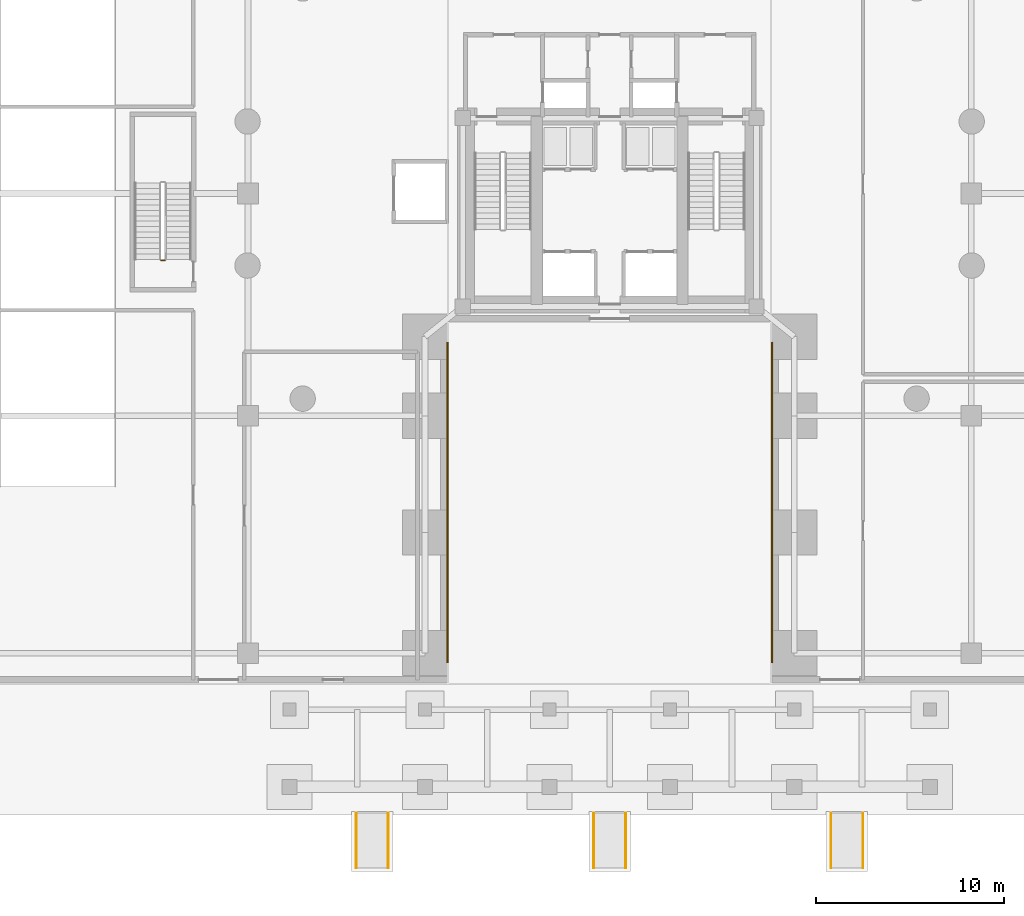
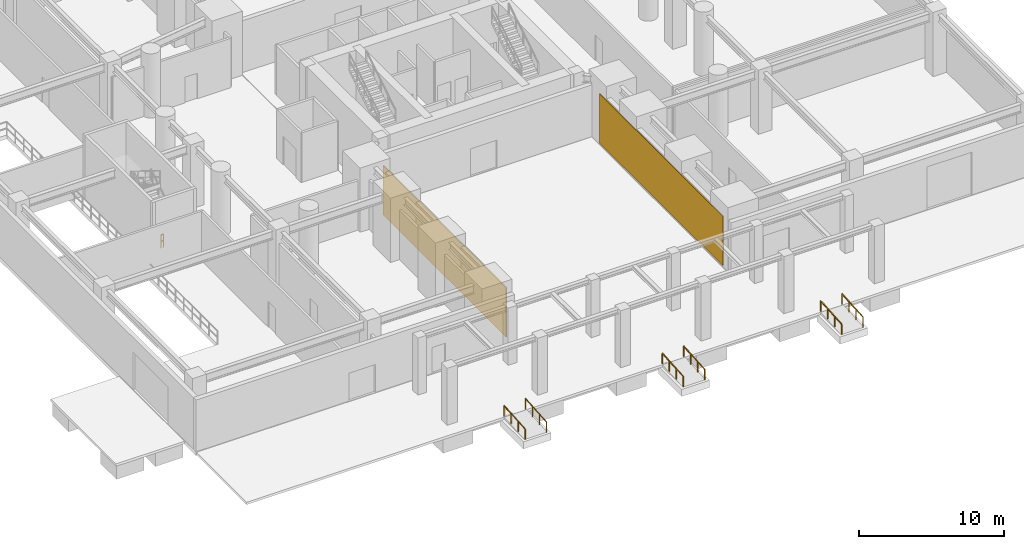
# One storey, part 8 of 11: 7 railings, 2 coverings.
"""IFC4 building model written with IfcOpenShell, lengths in metres."""

import ifcopenshell
import ifcopenshell.guid

model = None  # the IFC model being written
_history = None  # IfcOwnerHistory: only IFC2X3 demands one
_inside = {}  # id of a spatial element -> (the spatial element, [elements in it])
_under = {}  # id of a project, library or spatial element -> (it, [spatial elements below it])
_declared = {}  # id of a project -> (the project, [libraries it declares])
_typed = {}  # id of a type object -> (the type object, [elements of that type])
_made_of = {}  # id of a material, layer set ... -> (it, [elements and type objects made of it])


def new_model(schema):
    """Start an empty IFC model of exactly this schema.

    Asked for "IFC4X3", IfcOpenShell would pick the latest addendum, in which some entities
    have other attributes; the version numbers below select the first issue.
    IFC2X3 requires an IfcOwnerHistory on every rooted entity: one is made here for all.
    """
    global model, _history
    if schema == "IFC4X3":
        model = ifcopenshell.file(schema_version=(4, 3, 0, 0))
    else:
        model = ifcopenshell.file(schema=schema)
    _inside.clear()
    _under.clear()
    _declared.clear()
    _typed.clear()
    _made_of.clear()
    _history = None
    if model.schema == "IFC2X3":
        org = make("IfcOrganization", Name="unknown")
        user = make(
            "IfcPersonAndOrganization",
            ThePerson=make("IfcPerson", FamilyName="unknown"),
            TheOrganization=org,
        )
        app = make(
            "IfcApplication",
            ApplicationDeveloper=org,
            Version="unknown",
            ApplicationFullName="unknown",
            ApplicationIdentifier="unknown",
        )
        _history = make(
            "IfcOwnerHistory",
            OwningUser=user,
            OwningApplication=app,
            ChangeAction="ADDED",
            CreationDate=0,
        )
    return model


def make(cls, **values):
    """One entity of the class cls with the attributes given. An attribute that is None is left unset."""
    return model.create_entity(
        cls, **{name: value for name, value in values.items() if value is not None}
    )


def rooted(cls, **values):
    """An entity with a GlobalId (a new one), such as an element, a storey or a relation."""
    return make(cls, GlobalId=ifcopenshell.guid.new(), OwnerHistory=_history, **values)


def si_unit(unit_type, name, prefix=None):
    """IfcSIUnit, for example si_unit("LENGTHUNIT", "METRE", prefix="MILLI")."""
    return make("IfcSIUnit", UnitType=unit_type, Prefix=prefix, Name=name)


def assignment(units):
    """IfcUnitAssignment: the units of a project."""
    return None if units is None else make("IfcUnitAssignment", Units=units)


def point(xyz):
    """IfcCartesianPoint."""
    return None if xyz is None else make("IfcCartesianPoint", Coordinates=xyz)


def direction(xyz):
    """IfcDirection."""
    return None if xyz is None else make("IfcDirection", DirectionRatios=xyz)


def frame(location, z_axis=None, x_axis=None):
    """IfcAxis2Placement3D, a coordinate frame: its origin and axes. An axis left out is left unset."""
    return make(
        "IfcAxis2Placement3D",
        Location=point(location),
        Axis=direction(z_axis),
        RefDirection=direction(x_axis),
    )


def frame_2d(location, x_axis=None):
    """IfcAxis2Placement2D, a coordinate frame in the plane: its origin and x axis."""
    return make(
        "IfcAxis2Placement2D", Location=point(location), RefDirection=direction(x_axis)
    )


def origin():
    """The frame at (0, 0, 0) with its axes left unset."""
    return frame((0.0, 0.0, 0.0))


def origin_2d():
    """The frame at (0, 0) in the plane with its x axis left unset."""
    return frame_2d((0.0, 0.0))


def place(relative_to, where):
    """IfcLocalPlacement: puts the frame where relative to a parent placement (None: the world)."""
    return make(
        "IfcLocalPlacement", PlacementRelTo=relative_to, RelativePlacement=where
    )


def context(
    kind, dimensions, precision=None, world=None, true_north=None, identifier=None
):
    """IfcGeometricRepresentationContext, for example the 3D "Model" context."""
    return make(
        "IfcGeometricRepresentationContext",
        ContextIdentifier=identifier,
        ContextType=kind,
        CoordinateSpaceDimension=dimensions,
        Precision=precision,
        WorldCoordinateSystem=world,
        TrueNorth=true_north,
    )


def subcontext(parent, identifier, kind, view, scale=None):
    """IfcGeometricRepresentationSubContext, for example "Body" below "Model"."""
    return make(
        "IfcGeometricRepresentationSubContext",
        ContextIdentifier=identifier,
        ContextType=kind,
        ParentContext=parent,
        TargetScale=scale,
        TargetView=view,
    )


def project(units=None, contexts=None):
    """IfcProject with its units and contexts."""
    return rooted(
        "IfcProject",
        Name="project",
        RepresentationContexts=contexts,
        UnitsInContext=assignment(units),
    )


def spatial(cls, under=None, at=None, **own):
    """A site, building, storey or space (cls), placed at a placement, below another one or the project."""
    s = rooted(cls, ObjectPlacement=at, **own)
    if under is not None:
        _under.setdefault(under.id(), (under, []))[1].append(s)
    return s


def profile(cls, at=None, kind="AREA", **sizes):
    """A parametric profile (cls). Its sizes go by their IFC names, for example OverallWidth=200.0."""
    return make(cls, ProfileType=kind, Position=at, **sizes)


def rectangle(**sizes):
    """IfcRectangleProfileDef."""
    return profile("IfcRectangleProfileDef", **sizes)


def extrude(swept, where, along, depth):
    """IfcExtrudedAreaSolid: the profile swept, set in the frame where, extruded along a direction by depth."""
    return make(
        "IfcExtrudedAreaSolid",
        SweptArea=swept,
        Position=where,
        ExtrudedDirection=direction(along),
        Depth=depth,
    )


def shape(context_of_items, identifier, shape_type, items):
    """IfcShapeRepresentation: the items that make up one representation, for example the "Body"."""
    return make(
        "IfcShapeRepresentation",
        ContextOfItems=context_of_items,
        RepresentationIdentifier=identifier,
        RepresentationType=shape_type,
        Items=items,
    )


def material(Name=None, Category=None):
    """IfcMaterial."""
    return make("IfcMaterial", Name=Name, Category=Category)


def layer(
    of_material, thickness, ventilated=None, Name=None, Category=None, Priority=None
):
    """IfcMaterialLayer: one layer of a wall or slab, of a material (None: an air gap)."""
    return make(
        "IfcMaterialLayer",
        Material=of_material,
        LayerThickness=thickness,
        IsVentilated=ventilated,
        Name=Name,
        Category=Category,
        Priority=Priority,
    )


def layer_set(layers, Name=None):
    """IfcMaterialLayerSet."""
    return make("IfcMaterialLayerSet", MaterialLayers=layers, LayerSetName=Name)


def made_of(thing, what):
    """Note that an element or type object is made of a material, layer set ...; save() writes the relation."""
    if what is not None:
        _made_of.setdefault(what.id(), (what, []))[1].append(thing)
    return thing


def type_object(cls, material=None, **own):
    """A type object (cls), such as IfcWallType, which elements share."""
    return made_of(rooted(cls, **own), material)


def element(
    cls,
    number,
    at=None,
    inside=None,
    cuts=None,
    type_object=None,
    material=None,
    context=None,
    identifier="Body",
    shape_type=None,
    held_by="IfcProductDefinitionShape",
    body=None,
    shapes=None,
    **own,
):
    """One element of the class cls, such as IfcWall. Its Tag is "e" and its number.

    at: its placement. inside: the storey or other place that contains it. cuts: it is an
    opening in that element (IfcRelVoidsElement). A single representation is given by context,
    identifier, shape_type and body (its items); several are given by shapes. held_by: the class
    of the entity that holds the representations. save() writes the other relations.
    """
    e = rooted(cls, Tag="e%d" % number, ObjectPlacement=at, **own)
    if body is not None:
        shapes = [shape(context, identifier, shape_type, body)]
    if shapes is not None:
        e.Representation = make(held_by, Representations=shapes)
    if inside is not None:
        _inside.setdefault(inside.id(), (inside, []))[1].append(e)
    if cuts is not None:
        rooted(
            "IfcRelVoidsElement", RelatingBuildingElement=cuts, RelatedOpeningElement=e
        )
    if type_object is not None:
        _typed.setdefault(type_object.id(), (type_object, []))[1].append(e)
    return made_of(e, material)


def aggregate(whole, parts):
    """IfcRelAggregates: a whole, such as a stair, and the parts it consists of."""
    return rooted("IfcRelAggregates", RelatingObject=whole, RelatedObjects=parts)


def save(model, path):
    """Write the relations noted so far, then the file.

    IfcRelAggregates (storeys below a building ...), IfcRelContainedInSpatialStructure (elements
    in a storey), IfcRelDefinesByType, IfcRelAssociatesMaterial and IfcRelDeclares: one each for
    every whole, place, type object, material and project.
    """
    for whole, parts in _under.values():
        aggregate(whole, parts)
    for where, things in _inside.values():
        rooted(
            "IfcRelContainedInSpatialStructure",
            RelatedElements=things,
            RelatingStructure=where,
        )
    for kind, things in _typed.values():
        rooted("IfcRelDefinesByType", RelatedObjects=things, RelatingType=kind)
    for what, things in _made_of.values():
        rooted("IfcRelAssociatesMaterial", RelatedObjects=things, RelatingMaterial=what)
    for by, libraries in _declared.values():
        rooted("IfcRelDeclares", RelatingContext=by, RelatedDefinitions=libraries)
    model.write(path)


model = new_model("IFC4")

# Units and contexts
model_context = context("Model", 3, precision=1e-05, world=origin(), true_north=direction((0.0, 1.0)))
body_context = subcontext(model_context, "Body", "Model", "MODEL_VIEW")
ifc_project = project(units=[si_unit("LENGTHUNIT", "METRE"), si_unit("AREAUNIT", "SQUARE_METRE"), si_unit("VOLUMEUNIT", "CUBIC_METRE"), si_unit("PLANEANGLEUNIT", "RADIAN"), si_unit("MASSUNIT", "GRAM", prefix="KILO"), si_unit("THERMODYNAMICTEMPERATUREUNIT", "KELVIN"), si_unit("POWERUNIT", "WATT")], contexts=[model_context])

# Site, building, storey
site_placement = place(None, origin())
site = spatial("IfcSite", under=ifc_project, at=site_placement, CompositionType="ELEMENT")
building_placement = place(site_placement, origin())
building = spatial("IfcBuilding", under=site, at=building_placement, Name="Ocrelia Relay Tower", CompositionType="ELEMENT")
storey_placement = place(building_placement, origin())
storey = spatial("IfcBuildingStorey", under=building, at=storey_placement, Name="L00", CompositionType="ELEMENT", Elevation=0.0)

# Coverings
ifc_material_1 = material(Name="Pigmented oxide terracotta architectural cladding", Category="masonry")
ifc_layer = layer(ifc_material_1, 0.080078125, Name="Pigmented oxide terracotta architectural cladding")
ifc_layer_set = layer_set([ifc_layer], Name="Pigmented oxide terracotta architectural cladding")
covering_type = type_object("IfcCoveringType", Name="COV-ARCH-CLAD", PredefinedType="CLADDING", material=ifc_layer_set)
for number, where, z_axis, x_axis, name in (
    (1, (25.3798828125, 9.60009765625, 0.10009765625), (0.0, 0.0, 1.0), (1.0, 0.0, 0.0), "L00 Portal Arch Terracotta Cladding WS"),
    (2, (42.6201171875, 9.60009765625, 0.10009765625), (0.0, 0.0, 1.0), (1.0, 0.0, 0.0), "L00 Portal Arch Terracotta Cladding ES"),
):
    element("IfcCovering", number, at=place(storey_placement, frame(where, z_axis=z_axis, x_axis=x_axis)), inside=storey, type_object=covering_type, Name=name, PredefinedType="CLADDING", context=body_context, shape_type="SweptSolid", body=[
        extrude(rectangle(XDim=0.080078125, YDim=17.0, at=origin_2d()), origin(), (0.0, 0.0, 1.0), 4.159912109375),
    ])

# Railings
ifc_material_2 = material(Name="Steel S355 balustrade", Category="steel")
railing_type_1 = type_object("IfcRailingType", Name="RL-STAIR-GUARD", PredefinedType="GUARDRAIL", material=ifc_material_2)
railing_placement = place(storey_placement, frame((10.3798828125, 22.449951171875, 0.0)))
element("IfcRailing", 3, at=railing_placement, inside=storey, type_object=railing_type_1, Name="L00 ST3 stair guard 4", PredefinedType="GUARDRAIL", context=body_context, shape_type="SweptSolid", body=[
    extrude(rectangle(XDim=0.048095703125, YDim=0.048095703125, at=origin_2d()), frame((0.0, 0.0, 1.076171875), z_axis=(-1.0, 0.0, 0.0), x_axis=(0.0, -1.0, 0.0)), (0.0, 0.0, 1.0), 0.199951171875),
    extrude(rectangle(XDim=0.048095703125, YDim=0.048095703125, at=origin_2d()), frame((0.0, 0.0, 0.550048828125), z_axis=(-1.0, 0.0, 0.0), x_axis=(0.0, -1.0, 0.0)), (0.0, 0.0, 1.0), 0.199951171875),
    extrude(rectangle(XDim=0.0419921875, YDim=0.0419921875, at=origin_2d()), origin(), (0.0, 0.0, 1.0), 1.052001953125),
    extrude(rectangle(XDim=0.0419921875, YDim=0.0419921875, at=origin_2d()), frame((-0.199951171875, 0.0, 0.0)), (0.0, 0.0, 1.0), 1.052001953125),
])
ifc_material_3 = material(Name="Steel S355 tubular handrail", Category="steel")
railing_type_2 = type_object("IfcRailingType", Name="RL-STAIR-HAND", PredefinedType="HANDRAIL", material=ifc_material_3)
for number, where, name in (
    (4, (20.550048828125, -9.800048828125, -0.199951171875), "Accessibility Ramp Handrail ARP-S1-1"),
    (5, (22.25, -9.800048828125, -0.199951171875), "Accessibility Ramp Handrail ARP-S1-2"),
    (6, (45.75, -9.800048828125, -0.199951171875), "Accessibility Ramp Handrail ARP-S2-1"),
    (7, (47.449951171875, -9.800048828125, -0.199951171875), "Accessibility Ramp Handrail ARP-S2-2"),
    (8, (33.14990234375, -9.800048828125, -0.199951171875), "Accessibility Ramp Handrail ARP-S3-1"),
    (9, (34.85009765625, -9.800048828125, -0.199951171875), "Accessibility Ramp Handrail ARP-S3-2"),
):
    element("IfcRailing", number, at=place(storey_placement, frame(where)), inside=storey, type_object=railing_type_2, Name=name, PredefinedType="HANDRAIL", context=body_context, shape_type="SweptSolid", body=[
        extrude(rectangle(XDim=0.048095703125, YDim=0.048095703125, at=origin_2d()), frame((0.0, 0.0, 0.8759765625), z_axis=(0.0, 0.99763171965, 0.068781915851), x_axis=(-1.0, 0.0, 0.0)), (0.0, 0.0, 1.0), 2.906982421875),
        extrude(rectangle(XDim=0.0419921875, YDim=0.0419921875, at=origin_2d()), origin(), (0.0, 0.0, 1.0), 0.851806640625),
        extrude(rectangle(XDim=0.0419921875, YDim=0.0419921875, at=origin_2d()), frame((0.0, 0.966796875, 0.066650390625)), (0.0, 0.0, 1.0), 0.851806640625),
        extrude(rectangle(XDim=0.0419921875, YDim=0.0419921875, at=origin_2d()), frame((0.0, 1.933349609375, 0.13330078125)), (0.0, 0.0, 1.0), 0.851806640625),
        extrude(rectangle(XDim=0.0419921875, YDim=0.0419921875, at=origin_2d()), frame((0.0, 2.900146484375, 0.199951171875)), (0.0, 0.0, 1.0), 0.851806640625),
    ])

save(model, "model.ifc")
